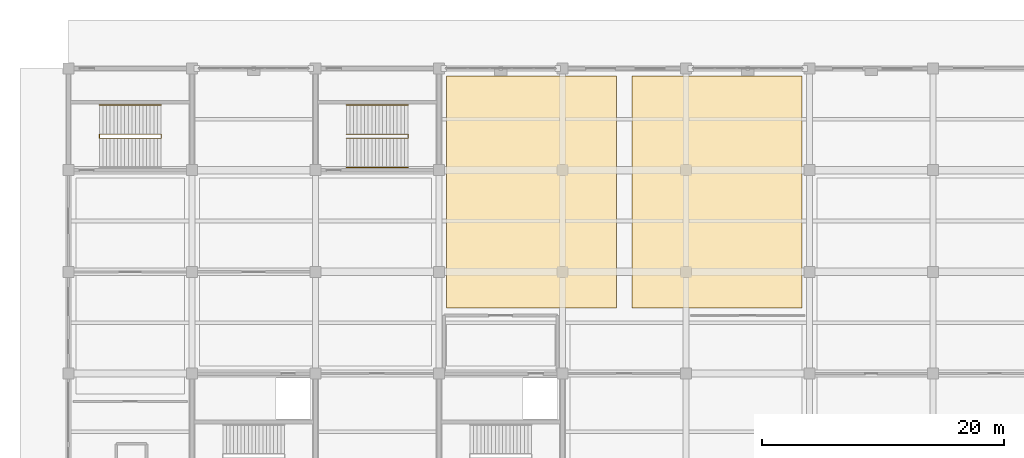
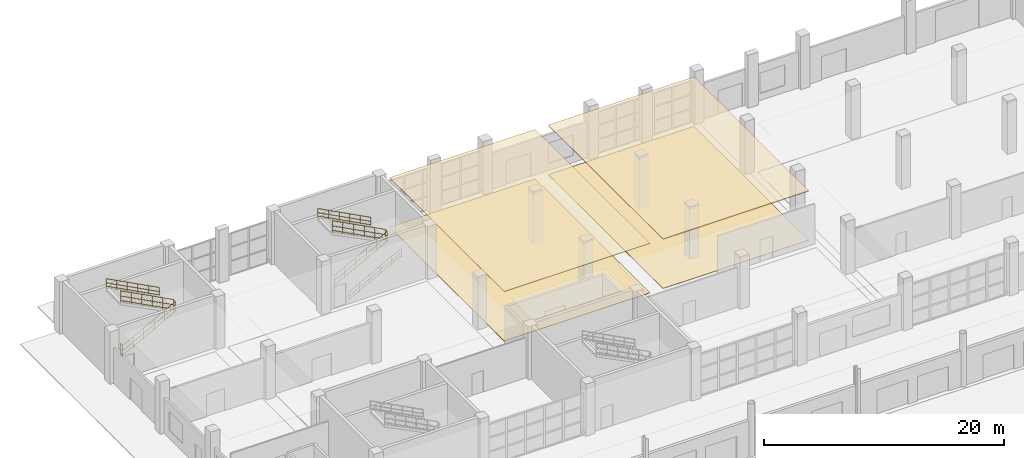
# One storey, part 122 of 124: 6 railings, 4 coverings.
"""IFC4 building model written with IfcOpenShell, lengths in metres."""

from ifc_helpers import new_model, si_unit, direction, frame, origin, origin_2d, place, context, subcontext, project, spatial, polyline, circle, outline, extrude, material, layer, layer_set, type_object, element, save


model = new_model("IFC4")

# Units and contexts
model_context = context("Model", 3, precision=1e-05, world=origin(), true_north=direction((0.0, 1.0)))
body_context = subcontext(model_context, "Body", "Model", "MODEL_VIEW")
ifc_project = project(units=[si_unit("LENGTHUNIT", "METRE"), si_unit("AREAUNIT", "SQUARE_METRE"), si_unit("VOLUMEUNIT", "CUBIC_METRE"), si_unit("PLANEANGLEUNIT", "RADIAN"), si_unit("MASSUNIT", "GRAM", prefix="KILO")], contexts=[model_context])

# Site, building, storey
site_placement = place(None, origin())
site = spatial("IfcSite", under=ifc_project, at=site_placement, CompositionType="ELEMENT")
building_placement = place(site_placement, origin())
building = spatial("IfcBuilding", under=site, at=building_placement, Name="Brelvane Convention Centre", CompositionType="ELEMENT")
storey_placement = place(building_placement, origin())
storey = spatial("IfcBuildingStorey", under=building, at=storey_placement, Name="L00", CompositionType="ELEMENT", Elevation=0.0)

# Coverings
ifc_material_1 = material(Name="Perforated Anodised Aluminium Alloy 6063 Acoustic Baffle", Category="aluminium")
ifc_layer_1 = layer(ifc_material_1, 0.06005859375)
ifc_layer_set_1 = layer_set([ifc_layer_1], Name="Perforated Anodised Aluminium Alloy 6063 Acoustic Baffle")
covering_type_1 = type_object("IfcCoveringType", Name="Interior Finish CL-BAF-60", PredefinedType="CEILING", material=ifc_layer_set_1)
covering_1_placement = place(storey_placement, frame((0.0, 0.0, 5.02001953125)))
element("IfcCovering", 1, at=covering_1_placement, inside=storey, type_object=covering_type_1, Name="Meeting Room 103 Acoustic Ceiling (CL-BAF-60)", PredefinedType="CEILING", context=body_context, shape_type="SweptSolid", body=[
    extrude(outline(polyline([(31.22998046875, 124.22998046875), (45.27001953125, 124.22998046875), (45.27001953125, 143.3701171875), (31.22998046875, 143.3701171875), (31.22998046875, 124.22998046875)])), origin(), (0.0, 0.0, 1.0), 0.06005859375),
])
ifc_material_2 = material(Name="Perforated Anodised Aluminium Alloy 6063 Acoustic Baffle", Category="aluminium")
ifc_layer_2 = layer(ifc_material_2, 0.090087890625)
ifc_layer_set_2 = layer_set([ifc_layer_2], Name="Perforated Anodised Aluminium Alloy 6063 Acoustic Baffle")
covering_type_2 = type_object("IfcCoveringType", Name="Interior Finish CL-BAF-90", PredefinedType="CEILING", material=ifc_layer_set_2)
covering_2_placement = place(storey_placement, frame((0.0, 0.0, 4.989990234375)))
element("IfcCovering", 2, at=covering_2_placement, inside=storey, type_object=covering_type_2, Name="Meeting Room 105 Acoustic Ceiling (CL-BAF-90)", PredefinedType="CEILING", context=body_context, shape_type="SweptSolid", body=[
    extrude(outline(polyline([(46.530029296875, 124.22998046875), (60.570068359375, 124.22998046875), (60.570068359375, 143.3701171875), (46.530029296875, 143.3701171875), (46.530029296875, 124.22998046875)])), origin(), (0.0, 0.0, 1.0), 0.090087890625),
])
ifc_material_3 = material(Name="Heavy-Duty Quartz-Filled Industrial Epoxy Screed Grade A")
ifc_layer_3 = layer(ifc_material_3, 0.034912109375)
ifc_layer_set_3 = layer_set([ifc_layer_3], Name="Heavy-Duty Quartz-Filled Industrial Epoxy Screed Grade A")
covering_type_3 = type_object("IfcCoveringType", Name="Interior Finish FL-EPX-35", PredefinedType="FLOORING", material=ifc_layer_set_3)
covering_3_placement = place(storey_placement, origin())
element("IfcCovering", 3, at=covering_3_placement, inside=storey, type_object=covering_type_3, Name="Meeting Room 105 Floor Finish (FL-EPX-35)", PredefinedType="FLOORING", context=body_context, shape_type="SweptSolid", body=[
    extrude(outline(polyline([(46.530029296875, 124.22998046875), (60.570068359375, 124.22998046875), (60.570068359375, 143.3701171875), (46.530029296875, 143.3701171875), (46.530029296875, 124.22998046875)])), origin(), (0.0, 0.0, 1.0), 0.034912109375),
])
ifc_material_4 = material(Name="Polished Basalt-Aggregate Terrazzo Screed Concrete M30", Category="masonry")
ifc_layer_4 = layer(ifc_material_4, 0.0400390625)
ifc_layer_set_4 = layer_set([ifc_layer_4], Name="Polished Basalt-Aggregate Terrazzo Screed Concrete M30")
covering_type_4 = type_object("IfcCoveringType", Name="Interior Finish FL-TER-40", PredefinedType="FLOORING", material=ifc_layer_set_4)
covering_4_placement = place(storey_placement, origin())
element("IfcCovering", 4, at=covering_4_placement, inside=storey, type_object=covering_type_4, Name="Meeting Room 103 Floor Finish (FL-TER-40)", PredefinedType="FLOORING", context=body_context, shape_type="SweptSolid", body=[
    extrude(outline(polyline([(31.22998046875, 124.22998046875), (45.27001953125, 124.22998046875), (45.27001953125, 143.3701171875), (31.22998046875, 143.3701171875), (31.22998046875, 124.22998046875)])), origin(), (0.0, 0.0, 1.0), 0.0400390625),
])

# Railings
ifc_material_5 = material(Name="Steel E350 (350 MPa)", Category="steel")
railing_type_1 = type_object("IfcRailingType", Name="Stair Railing GR-ST-1", PredefinedType="GUARDRAIL", material=ifc_material_5)
railing_1_placement = place(storey_placement, frame((22.949951171875, 138.239990234375, -0.02001953125)))
element("IfcRailing", 5, at=railing_1_placement, inside=storey, type_object=railing_type_1, Name="Stair ST-13 L00 Inner Well Guard", PredefinedType="GUARDRAIL", context=body_context, shape_type="SweptSolid", body=[
    extrude(circle(Radius=0.02392578125, at=origin_2d()), frame((0.0, 0.0, 1.1259765625), z_axis=(0.882358787245, 0.0, 0.470577273753), x_axis=(0.0, 1.0, 0.0)), (0.0, 0.0, 1.0), 5.780029296875),
    extrude(circle(Radius=0.02392578125, at=origin_2d()), frame((0.0, 0.0, 0.597900390625), z_axis=(0.882358787245, 0.0, 0.470577273753), x_axis=(0.0, 1.0, 0.0)), (0.0, 0.0, 1.0), 5.780029296875),
    extrude(circle(Radius=0.02392578125, at=origin_2d()), frame((0.0, 0.0, 0.139892578125), z_axis=(0.882358787245, 0.0, 0.470577273753), x_axis=(0.0, 1.0, 0.0)), (0.0, 0.0, 1.0), 5.780029296875),
    extrude(circle(Radius=0.02392578125, at=origin_2d()), frame((5.10009765625, 0.0, 3.845947265625), z_axis=(0.0, 1.0, 0.0), x_axis=(-1.0, 0.0, 0.0)), (0.0, 0.0, 1.0), 0.320068359375),
    extrude(circle(Radius=0.02392578125, at=origin_2d()), frame((5.10009765625, 0.0, 3.31787109375), z_axis=(0.0, 1.0, 0.0), x_axis=(-1.0, 0.0, 0.0)), (0.0, 0.0, 1.0), 0.320068359375),
    extrude(circle(Radius=0.02392578125, at=origin_2d()), frame((5.10009765625, 0.0, 2.85986328125), z_axis=(0.0, 1.0, 0.0), x_axis=(-1.0, 0.0, 0.0)), (0.0, 0.0, 1.0), 0.320068359375),
    extrude(circle(Radius=0.02392578125, at=origin_2d()), frame((5.10009765625, 0.320068359375, 3.845947265625), z_axis=(-0.885227801088, 0.0, 0.465157758379), x_axis=(0.0, -1.0, 0.0)), (0.0, 0.0, 1.0), 5.76123046875),
    extrude(circle(Radius=0.02392578125, at=origin_2d()), frame((5.10009765625, 0.320068359375, 3.31787109375), z_axis=(-0.885227801088, 0.0, 0.465157758379), x_axis=(0.0, -1.0, 0.0)), (0.0, 0.0, 1.0), 5.76123046875),
    extrude(circle(Radius=0.02392578125, at=origin_2d()), frame((5.10009765625, 0.320068359375, 2.85986328125), z_axis=(-0.885227801088, 0.0, 0.465157758379), x_axis=(0.0, -1.0, 0.0)), (0.0, 0.0, 1.0), 5.76123046875),
    extrude(circle(Radius=0.02099609375, at=origin_2d()), origin(), (0.0, 0.0, 1.0), 1.101806640625),
    extrude(circle(Radius=0.02099609375, at=origin_2d()), frame((1.02001953125, 0.0, 0.5439453125)), (0.0, 0.0, 1.0), 1.101806640625),
    extrude(circle(Radius=0.02099609375, at=origin_2d()), frame((2.0400390625, 0.0, 1.087890625)), (0.0, 0.0, 1.0), 1.101806640625),
    extrude(circle(Radius=0.02099609375, at=origin_2d()), frame((3.06005859375, 0.0, 1.632080078125)), (0.0, 0.0, 1.0), 1.101806640625),
    extrude(circle(Radius=0.02099609375, at=origin_2d()), frame((4.080078125, 0.0, 2.176025390625)), (0.0, 0.0, 1.0), 1.101806640625),
    extrude(circle(Radius=0.02099609375, at=origin_2d()), frame((5.10009765625, 0.0, 2.719970703125)), (0.0, 0.0, 1.0), 1.101806640625),
    extrude(circle(Radius=0.02099609375, at=origin_2d()), frame((5.10009765625, 0.320068359375, 2.719970703125)), (0.0, 0.0, 1.0), 1.101806640625),
    extrude(circle(Radius=0.02099609375, at=origin_2d()), frame((4.080078125, 0.320068359375, 3.255859375)), (0.0, 0.0, 1.0), 1.101806640625),
    extrude(circle(Radius=0.02099609375, at=origin_2d()), frame((3.06005859375, 0.320068359375, 3.7919921875)), (0.0, 0.0, 1.0), 1.101806640625),
    extrude(circle(Radius=0.02099609375, at=origin_2d()), frame((2.0400390625, 0.320068359375, 4.327880859375)), (0.0, 0.0, 1.0), 1.101806640625),
    extrude(circle(Radius=0.02099609375, at=origin_2d()), frame((1.02001953125, 0.320068359375, 4.864013671875)), (0.0, 0.0, 1.0), 1.101806640625),
    extrude(circle(Radius=0.02099609375, at=origin_2d()), frame((0.0, 0.320068359375, 5.39990234375)), (0.0, 0.0, 1.0), 1.101806640625),
])
railing_2_placement = place(storey_placement, frame((2.550048828125, 138.239990234375, -0.02001953125)))
element("IfcRailing", 6, at=railing_2_placement, inside=storey, type_object=railing_type_1, Name="Stair ST-17 L00 Inner Well Guard", PredefinedType="GUARDRAIL", context=body_context, shape_type="SweptSolid", body=[
    extrude(circle(Radius=0.02392578125, at=origin_2d()), frame((0.0, 0.0, 1.1259765625), z_axis=(0.88234943334, 0.0, 0.470594812429), x_axis=(0.0, 1.0, 0.0)), (0.0, 0.0, 1.0), 5.77978515625),
    extrude(circle(Radius=0.02392578125, at=origin_2d()), frame((0.0, 0.0, 0.597900390625), z_axis=(0.88234943334, 0.0, 0.470594812429), x_axis=(0.0, 1.0, 0.0)), (0.0, 0.0, 1.0), 5.77978515625),
    extrude(circle(Radius=0.02392578125, at=origin_2d()), frame((0.0, 0.0, 0.139892578125), z_axis=(0.88234943334, 0.0, 0.470594812429), x_axis=(0.0, 1.0, 0.0)), (0.0, 0.0, 1.0), 5.77978515625),
    extrude(circle(Radius=0.02392578125, at=origin_2d()), frame((5.099853515625, 0.0, 3.845947265625), z_axis=(0.0, 1.0, 0.0), x_axis=(-1.0, 0.0, 0.0)), (0.0, 0.0, 1.0), 0.320068359375),
    extrude(circle(Radius=0.02392578125, at=origin_2d()), frame((5.099853515625, 0.0, 3.31787109375), z_axis=(0.0, 1.0, 0.0), x_axis=(-1.0, 0.0, 0.0)), (0.0, 0.0, 1.0), 0.320068359375),
    extrude(circle(Radius=0.02392578125, at=origin_2d()), frame((5.099853515625, 0.0, 2.85986328125), z_axis=(0.0, 1.0, 0.0), x_axis=(-1.0, 0.0, 0.0)), (0.0, 0.0, 1.0), 0.320068359375),
    extrude(circle(Radius=0.02392578125, at=origin_2d()), frame((5.099853515625, 0.320068359375, 3.845947265625), z_axis=(-0.885218631674, 0.0, 0.465175207999), x_axis=(0.0, -1.0, 0.0)), (0.0, 0.0, 1.0), 5.76123046875),
    extrude(circle(Radius=0.02392578125, at=origin_2d()), frame((5.099853515625, 0.320068359375, 3.31787109375), z_axis=(-0.885218631674, 0.0, 0.465175207999), x_axis=(0.0, -1.0, 0.0)), (0.0, 0.0, 1.0), 5.76123046875),
    extrude(circle(Radius=0.02392578125, at=origin_2d()), frame((5.099853515625, 0.320068359375, 2.85986328125), z_axis=(-0.885218631674, 0.0, 0.465175207999), x_axis=(0.0, -1.0, 0.0)), (0.0, 0.0, 1.0), 5.76123046875),
    extrude(circle(Radius=0.02099609375, at=origin_2d()), origin(), (0.0, 0.0, 1.0), 1.101806640625),
    extrude(circle(Radius=0.02099609375, at=origin_2d()), frame((1.02001953125, 0.0, 0.5439453125)), (0.0, 0.0, 1.0), 1.101806640625),
    extrude(circle(Radius=0.02099609375, at=origin_2d()), frame((2.0400390625, 0.0, 1.087890625)), (0.0, 0.0, 1.0), 1.101806640625),
    extrude(circle(Radius=0.02099609375, at=origin_2d()), frame((3.059814453125, 0.0, 1.632080078125)), (0.0, 0.0, 1.0), 1.101806640625),
    extrude(circle(Radius=0.02099609375, at=origin_2d()), frame((4.079833984375, 0.0, 2.176025390625)), (0.0, 0.0, 1.0), 1.101806640625),
    extrude(circle(Radius=0.02099609375, at=origin_2d()), frame((5.099853515625, 0.0, 2.719970703125)), (0.0, 0.0, 1.0), 1.101806640625),
    extrude(circle(Radius=0.02099609375, at=origin_2d()), frame((5.099853515625, 0.320068359375, 2.719970703125)), (0.0, 0.0, 1.0), 1.101806640625),
    extrude(circle(Radius=0.02099609375, at=origin_2d()), frame((4.079833984375, 0.320068359375, 3.255859375)), (0.0, 0.0, 1.0), 1.101806640625),
    extrude(circle(Radius=0.02099609375, at=origin_2d()), frame((3.059814453125, 0.320068359375, 3.7919921875)), (0.0, 0.0, 1.0), 1.101806640625),
    extrude(circle(Radius=0.02099609375, at=origin_2d()), frame((2.0400390625, 0.320068359375, 4.327880859375)), (0.0, 0.0, 1.0), 1.101806640625),
    extrude(circle(Radius=0.02099609375, at=origin_2d()), frame((1.02001953125, 0.320068359375, 4.864013671875)), (0.0, 0.0, 1.0), 1.101806640625),
    extrude(circle(Radius=0.02099609375, at=origin_2d()), frame((0.0, 0.320068359375, 5.39990234375)), (0.0, 0.0, 1.0), 1.101806640625),
])
ifc_material_6 = material(Name="Steel E350 (350 MPa)", Category="steel")
railing_type_2 = type_object("IfcRailingType", Name="Stair Railing GR-ST-2", PredefinedType="GUARDRAIL", material=ifc_material_6)
railing_3_placement = place(storey_placement, frame((2.550048828125, 138.239990234375, -0.02001953125)))
element("IfcRailing", 7, at=railing_3_placement, inside=storey, type_object=railing_type_2, Name="Stair ST-17 L00 Landing Well Guard", PredefinedType="GUARDRAIL", context=body_context, shape_type="SweptSolid", body=[
    extrude(circle(Radius=0.02392578125, at=origin_2d()), frame((0.0, 0.0, 1.15576171875), z_axis=(0.0, 1.0, 0.0), x_axis=(-1.0, 0.0, 0.0)), (0.0, 0.0, 1.0), 0.320068359375),
    extrude(circle(Radius=0.02392578125, at=origin_2d()), frame((0.0, 0.0, 0.613525390625), z_axis=(0.0, 1.0, 0.0), x_axis=(-1.0, 0.0, 0.0)), (0.0, 0.0, 1.0), 0.320068359375),
    extrude(circle(Radius=0.02392578125, at=origin_2d()), frame((0.0, 0.0, 0.139892578125), z_axis=(0.0, 1.0, 0.0), x_axis=(-1.0, 0.0, 0.0)), (0.0, 0.0, 1.0), 0.320068359375),
    extrude(circle(Radius=0.02099609375, at=origin_2d()), origin(), (0.0, 0.0, 1.0), 1.1318359375),
    extrude(circle(Radius=0.02099609375, at=origin_2d()), frame((0.0, 0.320068359375, 0.0)), (0.0, 0.0, 1.0), 1.1318359375),
])
ifc_material_7 = material(Name="Steel E350 (350 MPa)", Category="steel")
railing_type_3 = type_object("IfcRailingType", Name="Stair Railing HR-ST-1", PredefinedType="HANDRAIL", material=ifc_material_7)
railing_4_placement = place(storey_placement, frame((22.949951171875, 135.830078125, -0.02001953125)))
element("IfcRailing", 8, at=railing_4_placement, inside=storey, type_object=railing_type_3, Name="Stair ST-13 L00 Outer Handrail F1", PredefinedType="HANDRAIL", context=body_context, shape_type="SweptSolid", body=[
    extrude(circle(Radius=0.02392578125, at=origin_2d()), frame((0.0, 0.0, 0.89599609375), z_axis=(0.882358787245, 0.0, 0.470577273753), x_axis=(0.0, 1.0, 0.0)), (0.0, 0.0, 1.0), 5.780029296875),
    extrude(circle(Radius=0.02392578125, at=origin_2d()), frame((0.0, 0.0, 0.478271484375), z_axis=(0.882358787245, 0.0, 0.470577273753), x_axis=(0.0, 1.0, 0.0)), (0.0, 0.0, 1.0), 5.780029296875),
    extrude(circle(Radius=0.02392578125, at=origin_2d()), frame((0.0, 0.0, 0.139892578125), z_axis=(0.882358787245, 0.0, 0.470577273753), x_axis=(0.0, 1.0, 0.0)), (0.0, 0.0, 1.0), 5.780029296875),
    extrude(circle(Radius=0.02099609375, at=origin_2d()), origin(), (0.0, 0.0, 1.0), 0.871826171875),
    extrude(circle(Radius=0.02099609375, at=origin_2d()), frame((1.02001953125, 0.0, 0.5439453125)), (0.0, 0.0, 1.0), 0.871826171875),
    extrude(circle(Radius=0.02099609375, at=origin_2d()), frame((2.0400390625, 0.0, 1.087890625)), (0.0, 0.0, 1.0), 0.871826171875),
    extrude(circle(Radius=0.02099609375, at=origin_2d()), frame((3.06005859375, 0.0, 1.632080078125)), (0.0, 0.0, 1.0), 0.871826171875),
    extrude(circle(Radius=0.02099609375, at=origin_2d()), frame((4.080078125, 0.0, 2.176025390625)), (0.0, 0.0, 1.0), 0.871826171875),
    extrude(circle(Radius=0.02099609375, at=origin_2d()), frame((5.10009765625, 0.0, 2.719970703125)), (0.0, 0.0, 1.0), 0.871826171875),
])
railing_5_placement = place(storey_placement, frame((28.050048828125, 140.969970703125, 2.699951171875)))
element("IfcRailing", 9, at=railing_5_placement, inside=storey, type_object=railing_type_3, Name="Stair ST-13 L00 Outer Handrail F2", PredefinedType="HANDRAIL", context=body_context, shape_type="SweptSolid", body=[
    extrude(circle(Radius=0.02392578125, at=origin_2d()), frame((0.0, 0.0, 0.89599609375), z_axis=(-0.885227801088, 0.0, 0.465157758379), x_axis=(0.0, -1.0, 0.0)), (0.0, 0.0, 1.0), 5.76123046875),
    extrude(circle(Radius=0.02392578125, at=origin_2d()), frame((0.0, 0.0, 0.478271484375), z_axis=(-0.885227801088, 0.0, 0.465157758379), x_axis=(0.0, -1.0, 0.0)), (0.0, 0.0, 1.0), 5.76123046875),
    extrude(circle(Radius=0.02392578125, at=origin_2d()), frame((0.0, 0.0, 0.139892578125), z_axis=(-0.885227801088, 0.0, 0.465157758379), x_axis=(0.0, -1.0, 0.0)), (0.0, 0.0, 1.0), 5.76123046875),
    extrude(circle(Radius=0.02099609375, at=origin_2d()), origin(), (0.0, 0.0, 1.0), 0.871826171875),
    extrude(circle(Radius=0.02099609375, at=origin_2d()), frame((-1.02001953125, 0.0, 0.535888671875)), (0.0, 0.0, 1.0), 0.871826171875),
    extrude(circle(Radius=0.02099609375, at=origin_2d()), frame((-2.0400390625, 0.0, 1.072021484375)), (0.0, 0.0, 1.0), 0.871826171875),
    extrude(circle(Radius=0.02099609375, at=origin_2d()), frame((-3.06005859375, 0.0, 1.60791015625)), (0.0, 0.0, 1.0), 0.871826171875),
    extrude(circle(Radius=0.02099609375, at=origin_2d()), frame((-4.080078125, 0.0, 2.14404296875)), (0.0, 0.0, 1.0), 0.871826171875),
    extrude(circle(Radius=0.02099609375, at=origin_2d()), frame((-5.10009765625, 0.0, 2.679931640625)), (0.0, 0.0, 1.0), 0.871826171875),
])
railing_6_placement = place(storey_placement, frame((7.64990234375, 140.969970703125, 2.699951171875)))
element("IfcRailing", 10, at=railing_6_placement, inside=storey, type_object=railing_type_3, Name="Stair ST-17 L00 Outer Handrail F2", PredefinedType="HANDRAIL", context=body_context, shape_type="SweptSolid", body=[
    extrude(circle(Radius=0.02392578125, at=origin_2d()), frame((0.0, 0.0, 0.89599609375), z_axis=(-0.885218631674, 0.0, 0.465175207999), x_axis=(0.0, -1.0, 0.0)), (0.0, 0.0, 1.0), 5.76123046875),
    extrude(circle(Radius=0.02392578125, at=origin_2d()), frame((0.0, 0.0, 0.478271484375), z_axis=(-0.885218631674, 0.0, 0.465175207999), x_axis=(0.0, -1.0, 0.0)), (0.0, 0.0, 1.0), 5.76123046875),
    extrude(circle(Radius=0.02392578125, at=origin_2d()), frame((0.0, 0.0, 0.139892578125), z_axis=(-0.885218631674, 0.0, 0.465175207999), x_axis=(0.0, -1.0, 0.0)), (0.0, 0.0, 1.0), 5.76123046875),
    extrude(circle(Radius=0.02099609375, at=origin_2d()), origin(), (0.0, 0.0, 1.0), 0.871826171875),
    extrude(circle(Radius=0.02099609375, at=origin_2d()), frame((-1.02001953125, 0.0, 0.535888671875)), (0.0, 0.0, 1.0), 0.871826171875),
    extrude(circle(Radius=0.02099609375, at=origin_2d()), frame((-2.0400390625, 0.0, 1.072021484375)), (0.0, 0.0, 1.0), 0.871826171875),
    extrude(circle(Radius=0.02099609375, at=origin_2d()), frame((-3.059814453125, 0.0, 1.60791015625)), (0.0, 0.0, 1.0), 0.871826171875),
    extrude(circle(Radius=0.02099609375, at=origin_2d()), frame((-4.079833984375, 0.0, 2.14404296875)), (0.0, 0.0, 1.0), 0.871826171875),
    extrude(circle(Radius=0.02099609375, at=origin_2d()), frame((-5.099853515625, 0.0, 2.679931640625)), (0.0, 0.0, 1.0), 0.871826171875),
])

save(model, "model.ifc")
